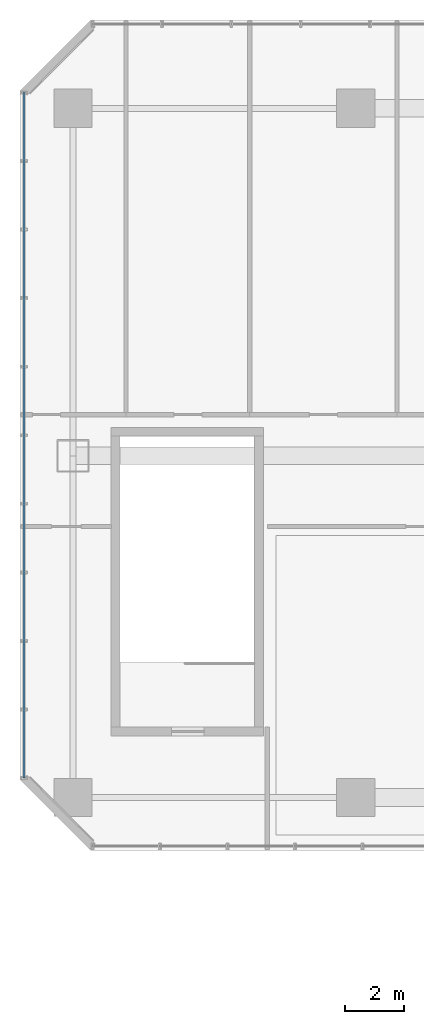
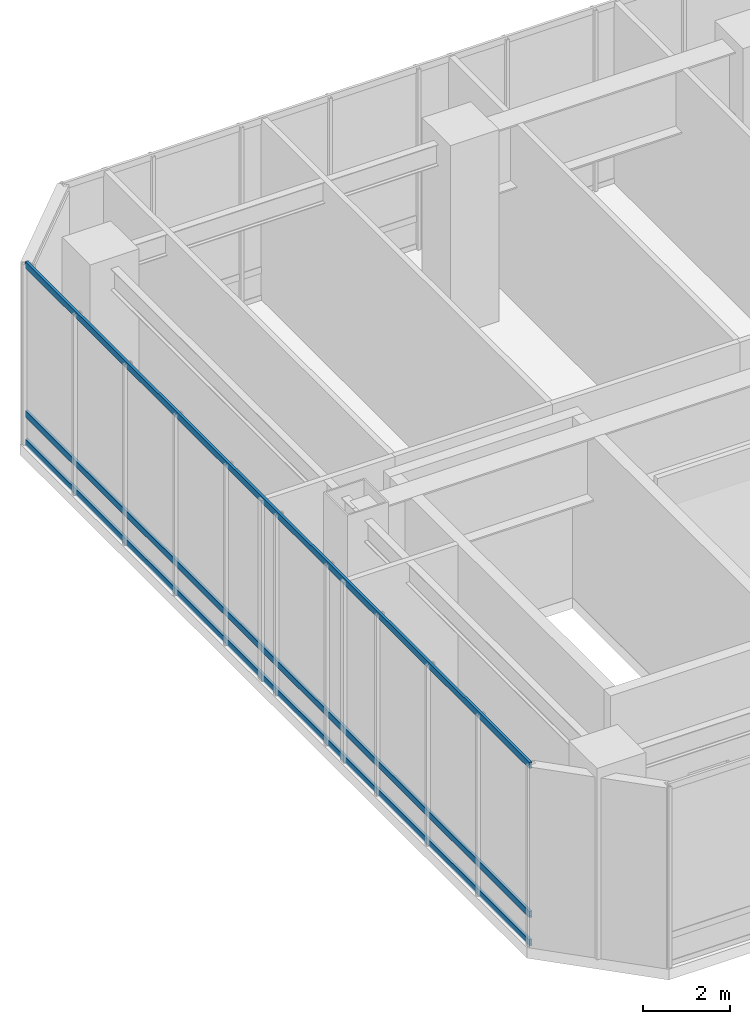
# One storey, part 18 of 38: 3 members, 1 element without a shape of its own.
"""IFC4 building model written with IfcOpenShell, lengths in metres."""

from ifc_helpers import new_model, si_unit, direction, frame, origin, origin_2d, place, context, subcontext, project, spatial, hollow_rectangle, extrude, material, layer, layer_set, material_profile, profile_set, type_object, element, aggregate, save


model = new_model("IFC4")

# Units and contexts
model_context = context("Model", 3, precision=1e-05, world=origin(), true_north=direction((0.0, 1.0)))
body_context = subcontext(model_context, "Body", "Model", "MODEL_VIEW")
ifc_project = project(units=[si_unit("LENGTHUNIT", "METRE"), si_unit("AREAUNIT", "SQUARE_METRE"), si_unit("VOLUMEUNIT", "CUBIC_METRE"), si_unit("PLANEANGLEUNIT", "RADIAN"), si_unit("MASSUNIT", "GRAM", prefix="KILO")], contexts=[model_context])

# Site, building, storey
site_placement = place(None, origin())
site = spatial("IfcSite", under=ifc_project, at=site_placement, CompositionType="ELEMENT")
building_placement = place(site_placement, origin())
building = spatial("IfcBuilding", under=site, at=building_placement, Name="Hatsunagi Terrace Concourse", CompositionType="ELEMENT")
storey_placement = place(building_placement, frame((0.0, 0.0, 21.60009765625)))
storey = spatial("IfcBuildingStorey", under=building, at=storey_placement, Name="L05", CompositionType="ELEMENT", Elevation=21.60009765625)

# Curtain wall, members
ifc_material_1 = material(Name="Anodised Aluminium Alloy 6063-T5", Category="aluminium")
ifc_layer = layer(ifc_material_1, 0.199951171875)
ifc_layer_set = layer_set([ifc_layer], Name="PodiumStorefront_CW01")
curtain_wall_type = type_object("IfcCurtainWallType", Name="PodiumStorefront_CW01", PredefinedType="NOTDEFINED", material=ifc_layer_set)
curtain_wall_placement = place(storey_placement, origin())
curtain_wall = element("IfcCurtainWall", 1, at=curtain_wall_placement, inside=storey, type_object=curtain_wall_type, Name="Unitised Curtain Wall CW-01 CW-L05-09", PredefinedType="NOTDEFINED")
ifc_material_2 = material(Name="Anodised Aluminium Alloy 6063-T5", Category="aluminium")
ifc_material_profile = material_profile(ifc_material_2, hollow_rectangle(XDim=0.070068359375, YDim=0.179931640625, WallThickness=0.00390625, at=origin_2d()), Name="ALU-TRN-180x70x4")
ifc_profile_set = profile_set([ifc_material_profile], Name="Anodised Aluminium Alloy 6063-T5")
member_type = type_object("IfcMemberType", Name="CurtainWallTransom_Heavy_180x70", PredefinedType="USERDEFINED", material=ifc_profile_set)
member_1_placement = place(storey_placement, frame((0.139892578125, 25.85791015625, 0.0498046875), z_axis=(0.0, 1.0, 0.0), x_axis=(-1.0, 0.0, 0.0)))
member_1 = element("IfcMember", 2, at=member_1_placement, type_object=member_type, Name="Curtain Wall Transom TRN-01", ObjectType="TRANSOM", PredefinedType="USERDEFINED", context=body_context, shape_type="SweptSolid", body=[
    extrude(hollow_rectangle(XDim=0.070068359375, YDim=0.179931640625, WallThickness=0.00390625, at=origin_2d()), origin(), (0.0, 0.0, 1.0), 23.2841796875),
])
member_2_placement = place(storey_placement, frame((0.139892578125, 25.85791015625, 0.849853515625), z_axis=(0.0, 1.0, 0.0), x_axis=(-1.0, 0.0, 0.0)))
member_2 = element("IfcMember", 3, at=member_2_placement, type_object=member_type, Name="Curtain Wall Transom TRN-01", ObjectType="TRANSOM", PredefinedType="USERDEFINED", context=body_context, shape_type="SweptSolid", body=[
    extrude(hollow_rectangle(XDim=0.070068359375, YDim=0.179931640625, WallThickness=0.00390625, at=origin_2d()), origin(), (0.0, 0.0, 1.0), 23.2841796875),
])
member_3_placement = place(storey_placement, frame((0.139892578125, 25.85791015625, 5.0498046875), z_axis=(0.0, 1.0, 0.0), x_axis=(-1.0, 0.0, 0.0)))
member_3 = element("IfcMember", 4, at=member_3_placement, type_object=member_type, Name="Curtain Wall Transom TRN-01", ObjectType="TRANSOM", PredefinedType="USERDEFINED", context=body_context, shape_type="SweptSolid", body=[
    extrude(hollow_rectangle(XDim=0.070068359375, YDim=0.179931640625, WallThickness=0.00390625, at=origin_2d()), origin(), (0.0, 0.0, 1.0), 23.2841796875),
])
aggregate(curtain_wall, [member_1, member_2, member_3])

save(model, "model.ifc")
